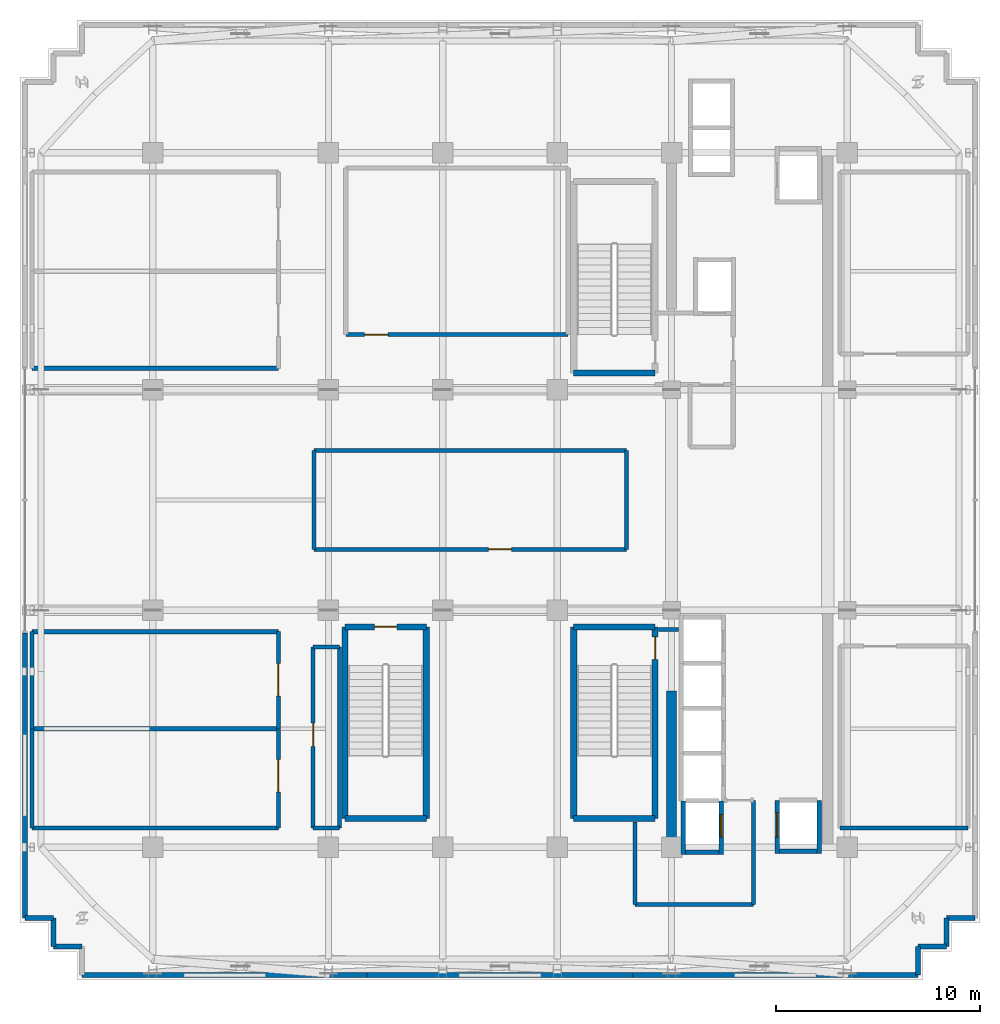
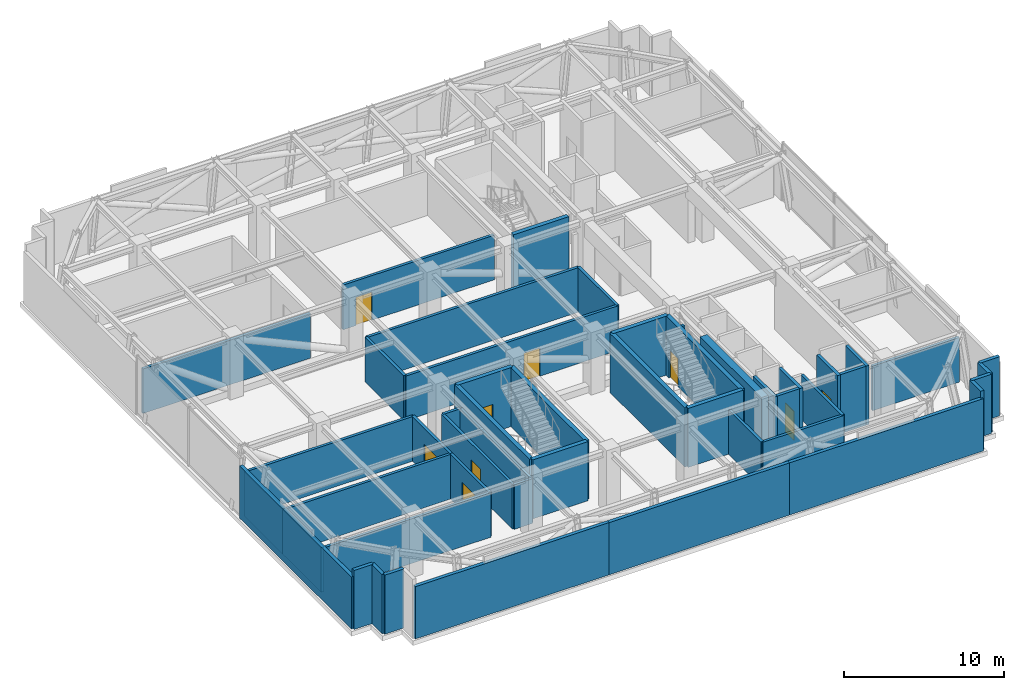
# One storey, part 9 of 15: 49 walls, 9 doors, 9 openings.
"""IFC4 building model written with IfcOpenShell, lengths in metres."""

from ifc_helpers import new_model, si_unit, direction, frame, frame_2d, origin, place, context, subcontext, project, spatial, rectangle, extrude, source, transform, mapped, material, layer, layer_set, type_object, element, fill, save


model = new_model("IFC4")

# Units and contexts
model_context = context("Model", 3, precision=1e-05, world=origin(), true_north=direction((0.0, 1.0)))
body_context = subcontext(model_context, "Body", "Model", "MODEL_VIEW")
ifc_project = project(units=[si_unit("LENGTHUNIT", "METRE"), si_unit("AREAUNIT", "SQUARE_METRE"), si_unit("VOLUMEUNIT", "CUBIC_METRE"), si_unit("PLANEANGLEUNIT", "RADIAN"), si_unit("MASSUNIT", "GRAM", prefix="KILO")], contexts=[model_context])

# Site, building, storey
site_placement = place(None, origin())
site = spatial("IfcSite", under=ifc_project, at=site_placement, CompositionType="ELEMENT")
building_placement = place(site_placement, origin())
building = spatial("IfcBuilding", under=site, at=building_placement, Name="Nahalor Promenade Grand Hotel", CompositionType="ELEMENT")
storey_placement = place(building_placement, frame((0.0, 0.0, 261.5)))
storey = spatial("IfcBuildingStorey", under=building, at=storey_placement, Name="L67", CompositionType="ELEMENT", Elevation=261.5)

# Walls
ifc_material_1 = material(Name="Concrete B-60 (C50/60)", Category="concrete")
ifc_layer_1 = layer(ifc_material_1, 0.5)
ifc_layer_set_1 = layer_set([ifc_layer_1], Name="Concrete B-60 (C50/60)")
wall_type_1 = type_object("IfcWallType", Name="Wall-CoreShear-500", PredefinedType="SHEAR", material=ifc_layer_set_1)
shared_shape_1 = source(origin(), body_context, "Body", "SweptSolid", [
    extrude(rectangle(XDim=7.64990234375, YDim=0.5, at=frame_2d((3.824951171875, 0.0))), origin(), (0.0, 0.0, 1.0), 4.5),
])
wall_1_placement = place(storey_placement, frame((8.39990234375, -17.0, 0.0), z_axis=(0.0, 0.0, 1.0), x_axis=(0.0, 1.0, 0.0)))
element("IfcWall", 1, at=wall_1_placement, inside=storey, type_object=wall_type_1, Name="CWALL-L67-SW", PredefinedType="SHEAR", context=body_context, shape_type="MappedRepresentation", body=[
    mapped(shared_shape_1, transform((0.0, 0.0, 0.0), scale=1.0)),
])
ifc_material_2 = material(Name="Concrete B-50 (C40/50)", Category="concrete")
ifc_layer_2 = layer(ifc_material_2, 0.300048828125)
ifc_layer_set_2 = layer_set([ifc_layer_2], Name="Concrete B-50 (C40/50)")
wall_type_2 = type_object("IfcWallType", Name="Wall-ShaftShear-300", PredefinedType="SHEAR", material=ifc_layer_set_2)
shared_shape_2 = source(origin(), body_context, "Body", "SweptSolid", [
    extrude(rectangle(XDim=3.97998046875, YDim=0.300048828125, at=frame_2d((1.989990234375, 0.0))), origin(), (0.0, 0.0, 1.0), 4.5),
])
for number, where, z_axis, x_axis, name in (
    (2, (3.610107421875, 6.2099609375, 0.0), (0.0, 0.0, 1.0), (1.0, 0.0, 0.0), "L67 Exit Stair ST1 Shaft Wall S"),
    (3, (3.610107421875, -15.590087890625, 0.0), (0.0, 0.0, 1.0), (1.0, 0.0, 0.0), "L67 Exit Stair ST2 Shaft Wall S"),
    (4, (3.610107421875, -6.2099609375, 0.0), (0.0, 0.0, 1.0), (1.0, 0.0, 0.0), "L67 Exit Stair ST2 Shaft Wall N"),
    (5, (-7.590087890625, -15.590087890625, 0.0), (0.0, 0.0, 1.0), (1.0, 0.0, 0.0), "L67 Exit Stair ST3 Shaft Wall S"),
):
    element("IfcWall", number, at=place(storey_placement, frame(where, z_axis=z_axis, x_axis=x_axis)), inside=storey, type_object=wall_type_2, Name=name, PredefinedType="SHEAR", context=body_context, shape_type="MappedRepresentation", body=[
        mapped(shared_shape_2, transform((0.0, 0.0, 0.0), scale=1.0)),
    ])

# Wall, opening, door
wall_2_placement = place(storey_placement, frame((-7.590087890625, -6.2099609375, 0.0), z_axis=(0.0, 0.0, 1.0), x_axis=(1.0, 0.0, 0.0)))
wall_2 = element("IfcWall", 6, at=wall_2_placement, inside=storey, type_object=wall_type_2, Name="L67 Exit Stair ST3 Shaft Wall N", PredefinedType="SHEAR", context=body_context, shape_type="MappedRepresentation", body=[
    mapped(shared_shape_2, transform((0.0, 0.0, 0.0), scale=1.0)),
])
opening_1_placement = place(wall_2_placement, frame((1.43994140625, 0.0, 0.0)))
opening_1 = element("IfcOpeningElement", 7, at=opening_1_placement, cuts=wall_2, Name="Opening D-ST1", PredefinedType="OPENING", context=body_context, shape_type="SweptSolid", body=[
    extrude(rectangle(XDim=1.10009765625, YDim=2.14990234375, at=frame_2d((0.550048828125, 1.074951171875))), frame((0.0, 0.159912109375, 0.0), z_axis=(0.0, -1.0, 0.0), x_axis=(1.0, 0.0, 0.0)), (0.0, 0.0, 1.0), 0.320068359375),
])
ifc_material_3 = material(Name="Steel S355JR", Category="steel")
door_type_1 = type_object("IfcDoorType", Name="Door-StairFire-1100", OperationType="NOTDEFINED", PredefinedType="DOOR", material=ifc_material_3)
shared_shape_3 = source(origin(), body_context, "Body", "SweptSolid", [
    extrude(rectangle(XDim=1.10009765625, YDim=2.14990234375, at=frame_2d((0.550048828125, 1.074951171875))), frame((0.0, 0.02490234375, 0.0), z_axis=(0.0, -1.0, 0.0), x_axis=(1.0, 0.0, 0.0)), (0.0, 0.0, 1.0), 0.050048828125),
])
door_1_placement = place(opening_1_placement, frame((1.10009765625, 0.0, 0.0), z_axis=(0.0, 0.0, 1.0), x_axis=(-1.0, 0.0, 0.0)))
door_1 = element("IfcDoor", 8, at=door_1_placement, inside=storey, type_object=door_type_1, Name="DR-STAIR-ST3-L67", OperationType="SINGLE_SWING_RIGHT", OverallHeight=2.14990234375, OverallWidth=1.10009765625, PredefinedType="DOOR", context=body_context, shape_type="MappedRepresentation", body=[
    mapped(shared_shape_3, transform((0.0, 0.0, 0.0), scale=1.0)),
])
fill(opening_1, door_1)

# Wall
shared_shape_4 = source(origin(), body_context, "Body", "SweptSolid", [
    extrude(rectangle(XDim=9.380126953125, YDim=0.300048828125, at=frame_2d((4.68994140625, 0.0))), origin(), (0.0, 0.0, 1.0), 4.5),
])
wall_3_placement = place(storey_placement, frame((3.610107421875, -15.590087890625, 0.0), z_axis=(0.0, 0.0, 1.0), x_axis=(0.0, 1.0, 0.0)))
element("IfcWall", 9, at=wall_3_placement, inside=storey, type_object=wall_type_2, Name="L67 Exit Stair ST2 Shaft Wall W", PredefinedType="SHEAR", context=body_context, shape_type="MappedRepresentation", body=[
    mapped(shared_shape_4, transform((0.0, 0.0, 0.0), scale=1.0)),
])

# Wall, opening, door
wall_4_placement = place(storey_placement, frame((7.590087890625, -15.590087890625, 0.0), z_axis=(0.0, 0.0, 1.0), x_axis=(0.0, 1.0, 0.0)))
wall_4 = element("IfcWall", 10, at=wall_4_placement, inside=storey, type_object=wall_type_2, Name="L67 Exit Stair ST2 Shaft Wall E", PredefinedType="SHEAR", context=body_context, shape_type="MappedRepresentation", body=[
    mapped(shared_shape_4, transform((0.0, 0.0, 0.0), scale=1.0)),
])
opening_2_placement = place(wall_4_placement, frame((7.7900390625, 0.0, 0.0)))
opening_2 = element("IfcOpeningElement", 11, at=opening_2_placement, cuts=wall_4, Name="Opening D-ST1", PredefinedType="OPENING", context=body_context, shape_type="SweptSolid", body=[
    extrude(rectangle(XDim=1.10009765625, YDim=2.14990234375, at=frame_2d((0.550048828125, 1.074951171875))), frame((0.0, 0.159912109375, 0.0), z_axis=(0.0, -1.0, 0.0), x_axis=(1.0, 0.0, 0.0)), (0.0, 0.0, 1.0), 0.320068359375),
])
door_2_placement = place(opening_2_placement, origin())
door_2 = element("IfcDoor", 12, at=door_2_placement, inside=storey, type_object=door_type_1, Name="DR-STAIR-ST2-L67", OperationType="SINGLE_SWING_RIGHT", OverallHeight=2.14990234375, OverallWidth=1.10009765625, PredefinedType="DOOR", context=body_context, shape_type="MappedRepresentation", body=[
    mapped(shared_shape_3, transform((0.0, 0.0, 0.0), scale=1.0)),
])
fill(opening_2, door_2)

# Walls
for number, where, z_axis, x_axis, name in (
    (13, (-7.590087890625, -15.590087890625, 0.0), (0.0, 0.0, 1.0), (0.0, 1.0, 0.0), "L67 Exit Stair ST3 Shaft Wall W"),
    (14, (-3.610107421875, -15.590087890625, 0.0), (0.0, 0.0, 1.0), (0.0, 1.0, 0.0), "L67 Exit Stair ST3 Shaft Wall E"),
):
    element("IfcWall", number, at=place(storey_placement, frame(where, z_axis=z_axis, x_axis=x_axis)), inside=storey, type_object=wall_type_2, Name=name, PredefinedType="SHEAR", context=body_context, shape_type="MappedRepresentation", body=[
        mapped(shared_shape_4, transform((0.0, 0.0, 0.0), scale=1.0)),
    ])
ifc_layer_3 = layer(ifc_material_2, 0.219970703125)
ifc_layer_set_3 = layer_set([ifc_layer_3], Name="Concrete B-50 (C40/50)")
wall_type_3 = type_object("IfcWallType", Name="Wall-LiftShaft-220", PredefinedType="SHEAR", material=ifc_layer_set_3)
shared_shape_5 = source(origin(), body_context, "Body", "SweptSolid", [
    extrude(rectangle(XDim=1.820068359375, YDim=0.219970703125, at=frame_2d((0.91015625, 0.0))), origin(), (0.0, 0.0, 1.0), 4.5),
])
wall_5_placement = place(storey_placement, frame((13.68994140625, -17.199951171875, 0.0), z_axis=(0.0, 0.0, 1.0), x_axis=(1.0, 0.0, 0.0)))
element("IfcWall", 15, at=wall_5_placement, inside=storey, type_object=wall_type_3, Name="L67 Lift SV2 Hoistway Wall S", PredefinedType="SHEAR", context=body_context, shape_type="MappedRepresentation", body=[
    mapped(shared_shape_5, transform((0.0, 0.0, 0.0), scale=1.0)),
])
shared_shape_6 = source(origin(), body_context, "Body", "SweptSolid", [
    extrude(rectangle(XDim=2.635009765625, YDim=0.219970703125, at=frame_2d((1.3173828125, 0.0))), origin(), (0.0, 0.0, 1.0), 4.5),
])
wall_6_placement = place(storey_placement, frame((8.97998046875, -17.360107421875, 0.0), z_axis=(0.0, 0.0, 1.0), x_axis=(0.0, 1.0, 0.0)))
element("IfcWall", 16, at=wall_6_placement, inside=storey, type_object=wall_type_3, Name="L67 Lift FL2 Hoistway Wall W", PredefinedType="SHEAR", context=body_context, shape_type="MappedRepresentation", body=[
    mapped(shared_shape_6, transform((0.0, 0.0, 0.0), scale=1.0)),
])

# Wall, opening, door
wall_7_placement = place(storey_placement, frame((10.820068359375, -17.360107421875, 0.0), z_axis=(0.0, 0.0, 1.0), x_axis=(0.0, 1.0, 0.0)))
wall_7 = element("IfcWall", 17, at=wall_7_placement, inside=storey, type_object=wall_type_3, Name="L67 Lift FL2 Hoistway Wall E", PredefinedType="SHEAR", context=body_context, shape_type="MappedRepresentation", body=[
    mapped(shared_shape_6, transform((0.0, 0.0, 0.0), scale=1.0)),
])
opening_3_placement = place(wall_7_placement, frame((0.860107421875, 0.0, 0.0)))
opening_3 = element("IfcOpeningElement", 18, at=opening_3_placement, cuts=wall_7, Name="Opening LD-02", PredefinedType="OPENING", context=body_context, shape_type="SweptSolid", body=[
    extrude(rectangle(XDim=1.10009765625, YDim=2.199951171875, at=frame_2d((0.550048828125, 1.10009765625))), frame((0.0, 0.119873046875, 0.0), z_axis=(0.0, -1.0, 0.0), x_axis=(1.0, 0.0, 0.0)), (0.0, 0.0, 1.0), 0.239990234375),
])
door_type_2 = type_object("IfcDoorType", Name="Door-LiftFF-1100", OperationType="DOUBLE_DOOR_SLIDING", PredefinedType="DOOR", material=ifc_material_3)
shared_shape_7 = source(origin(), body_context, "Body", "SweptSolid", [
    extrude(rectangle(XDim=1.10009765625, YDim=2.199951171875, at=frame_2d((0.550048828125, 1.10009765625))), frame((0.0, 0.02490234375, 0.0), z_axis=(0.0, -1.0, 0.0), x_axis=(1.0, 0.0, 0.0)), (0.0, 0.0, 1.0), 0.050048828125),
])
door_3_placement = place(opening_3_placement, frame((1.10009765625, 0.0, 0.0), z_axis=(0.0, 0.0, 1.0), x_axis=(-1.0, 0.0, 0.0)))
door_3 = element("IfcDoor", 19, at=door_3_placement, inside=storey, type_object=door_type_2, Name="DR-LIFT-FL2-L67", OperationType="DOUBLE_DOOR_SLIDING", OverallHeight=2.199951171875, OverallWidth=1.10009765625, PredefinedType="DOOR", context=body_context, shape_type="MappedRepresentation", body=[
    mapped(shared_shape_7, transform((0.0, 0.0, 0.0), scale=1.0)),
])
fill(opening_3, door_3)

# Wall
shared_shape_8 = source(origin(), body_context, "Body", "SweptSolid", [
    extrude(rectangle(XDim=1.619873046875, YDim=0.219970703125, at=frame_2d((0.81005859375, 0.0))), origin(), (0.0, 0.0, 1.0), 4.5),
])
wall_8_placement = place(storey_placement, frame((9.090087890625, -17.25, 0.0), z_axis=(0.0, 0.0, 1.0), x_axis=(1.0, 0.0, 0.0)))
element("IfcWall", 20, at=wall_8_placement, inside=storey, type_object=wall_type_3, Name="L67 Lift FL2 Hoistway Wall S", PredefinedType="SHEAR", context=body_context, shape_type="MappedRepresentation", body=[
    mapped(shared_shape_8, transform((0.0, 0.0, 0.0), scale=1.0)),
])

# Wall, opening, door
shared_shape_9 = source(origin(), body_context, "Body", "SweptSolid", [
    extrude(rectangle(XDim=2.610107421875, YDim=0.219970703125, at=frame_2d((1.30517578125, 0.0))), origin(), (0.0, 0.0, 1.0), 4.5),
])
wall_9_placement = place(storey_placement, frame((13.580078125, -17.31005859375, 0.0), z_axis=(0.0, 0.0, 1.0), x_axis=(0.0, 1.0, 0.0)))
wall_9 = element("IfcWall", 21, at=wall_9_placement, inside=storey, type_object=wall_type_3, Name="L67 Lift SV2 Hoistway Wall W", PredefinedType="SHEAR", context=body_context, shape_type="MappedRepresentation", body=[
    mapped(shared_shape_9, transform((0.0, 0.0, 0.0), scale=1.0)),
])
opening_4_placement = place(wall_9_placement, frame((0.81005859375, 0.0, 0.0)))
opening_4 = element("IfcOpeningElement", 22, at=opening_4_placement, cuts=wall_9, Name="Opening LD-03", PredefinedType="OPENING", context=body_context, shape_type="SweptSolid", body=[
    extrude(rectangle(XDim=1.199951171875, YDim=2.199951171875, at=frame_2d((0.60009765625, 1.10009765625))), frame((0.0, 0.119873046875, 0.0), z_axis=(0.0, -1.0, 0.0), x_axis=(1.0, 0.0, 0.0)), (0.0, 0.0, 1.0), 0.239990234375),
])
door_type_3 = type_object("IfcDoorType", Name="Door-LiftService-1200", OperationType="DOUBLE_DOOR_SLIDING", PredefinedType="DOOR", material=ifc_material_3)
shared_shape_10 = source(origin(), body_context, "Body", "SweptSolid", [
    extrude(rectangle(XDim=1.199951171875, YDim=2.199951171875, at=frame_2d((0.60009765625, 1.10009765625))), frame((0.0, 0.02490234375, 0.0), z_axis=(0.0, -1.0, 0.0), x_axis=(1.0, 0.0, 0.0)), (0.0, 0.0, 1.0), 0.050048828125),
])
door_4_placement = place(opening_4_placement, origin())
door_4 = element("IfcDoor", 23, at=door_4_placement, inside=storey, type_object=door_type_3, Name="DR-LIFT-SV2-L67", OperationType="DOUBLE_DOOR_SLIDING", OverallHeight=2.199951171875, OverallWidth=1.199951171875, PredefinedType="DOOR", context=body_context, shape_type="MappedRepresentation", body=[
    mapped(shared_shape_10, transform((0.0, 0.0, 0.0), scale=1.0)),
])
fill(opening_4, door_4)

# Walls
wall_10_placement = place(storey_placement, frame((15.6201171875, -17.31005859375, 0.0), z_axis=(0.0, 0.0, 1.0), x_axis=(0.0, 1.0, 0.0)))
element("IfcWall", 24, at=wall_10_placement, inside=storey, type_object=wall_type_3, Name="L67 Lift SV2 Hoistway Wall E", PredefinedType="SHEAR", context=body_context, shape_type="MappedRepresentation", body=[
    mapped(shared_shape_9, transform((0.0, 0.0, 0.0), scale=1.0)),
])
ifc_material_4 = material(Name="Concrete B-40 (C32/40)", Category="concrete")
ifc_layer_4 = layer(ifc_material_4, 0.25)
ifc_layer_set_4 = layer_set([ifc_layer_4], Name="Concrete B-40 (C32/40)")
wall_type_4 = type_object("IfcWallType", Name="Wall-BronzePier-250", PredefinedType="STANDARD", material=ifc_layer_set_4)
shared_shape_11 = source(origin(), body_context, "Body", "SweptSolid", [
    extrude(rectangle(XDim=1.39990234375, YDim=0.25, at=frame_2d((0.699951171875, 0.0))), origin(), (0.0, 0.0, 1.0), 4.5),
])
for number, where, z_axis, x_axis, name in (
    (25, (20.4599609375, -23.260009765625, 0.0), (0.0, 0.0, 1.0), (0.0, 1.0, 0.0), "W-L67-SR-01"),
    (26, (21.860107421875, -20.4599609375, 0.0), (0.0, 0.0, 1.0), (1.0, 0.0, 0.0), "W-L67-SR-04"),
    (27, (-23.260009765625, -20.4599609375, 0.0), (0.0, 0.0, 1.0), (1.0, 0.0, 0.0), "W-L67-SR-13"),
):
    element("IfcWall", number, at=place(storey_placement, frame(where, z_axis=z_axis, x_axis=x_axis)), inside=storey, type_object=wall_type_4, Name=name, PredefinedType="STANDARD", context=body_context, shape_type="MappedRepresentation", body=[
        mapped(shared_shape_11, transform((0.0, 0.0, 0.0), scale=1.0)),
    ])
shared_shape_12 = source(origin(), body_context, "Body", "SweptSolid", [
    extrude(rectangle(XDim=1.400146484375, YDim=0.25, at=frame_2d((0.7001953125, 0.0))), origin(), (0.0, 0.0, 1.0), 4.5),
])
for number, where, z_axis, x_axis, name in (
    (28, (20.4599609375, -21.860107421875, 0.0), (0.0, 0.0, 1.0), (1.0, 0.0, 0.0), "W-L67-SR-02"),
    (29, (21.860107421875, -21.860107421875, 0.0), (0.0, 0.0, 1.0), (0.0, 1.0, 0.0), "W-L67-SR-03"),
    (30, (-21.860107421875, -21.860107421875, 0.0), (0.0, 0.0, 1.0), (0.0, 1.0, 0.0), "W-L67-SR-14"),
    (31, (-21.860107421875, -21.860107421875, 0.0), (0.0, 0.0, 1.0), (1.0, 0.0, 0.0), "W-L67-SR-15"),
):
    element("IfcWall", number, at=place(storey_placement, frame(where, z_axis=z_axis, x_axis=x_axis)), inside=storey, type_object=wall_type_4, Name=name, PredefinedType="STANDARD", context=body_context, shape_type="MappedRepresentation", body=[
        mapped(shared_shape_12, transform((0.0, 0.0, 0.0), scale=1.0)),
    ])
shared_shape_13 = source(origin(), body_context, "Body", "SweptSolid", [
    extrude(rectangle(XDim=13.9599609375, YDim=0.25, at=frame_2d((6.97998046875, 0.0))), origin(), (0.0, 0.0, 1.0), 3.97998046875),
])
for number, where, z_axis, x_axis, name in (
    (32, (-20.4599609375, -23.260009765625, 0.0), (0.0, 0.0, 1.0), (1.0, 0.0, 0.0), "W-L67-PL-SL"),
    (33, (6.5, -23.260009765625, 0.0), (0.0, 0.0, 1.0), (1.0, 0.0, 0.0), "W-L67-PL-SR"),
    (34, (-23.260009765625, -20.4599609375, 0.0), (0.0, 0.0, 1.0), (0.0, 1.0, 0.0), "W-L67-PL-WL"),
):
    element("IfcWall", number, at=place(storey_placement, frame(where, z_axis=z_axis, x_axis=x_axis)), inside=storey, type_object=wall_type_4, Name=name, PredefinedType="STANDARD", context=body_context, shape_type="MappedRepresentation", body=[
        mapped(shared_shape_13, transform((0.0, 0.0, 0.0), scale=1.0)),
    ])
shared_shape_14 = source(origin(), body_context, "Body", "SweptSolid", [
    extrude(rectangle(XDim=13.0, YDim=0.25, at=frame_2d((6.5, 0.0))), origin(), (0.0, 0.0, 1.0), 3.97998046875),
])
wall_11_placement = place(storey_placement, frame((-6.5, -23.260009765625, 0.0), z_axis=(0.0, 0.0, 1.0), x_axis=(1.0, 0.0, 0.0)))
element("IfcWall", 35, at=wall_11_placement, inside=storey, type_object=wall_type_4, Name="W-L67-PL-SM", PredefinedType="STANDARD", context=body_context, shape_type="MappedRepresentation", body=[
    mapped(shared_shape_14, transform((0.0, 0.0, 0.0), scale=1.0)),
])
ifc_layer_5 = layer(ifc_material_4, 0.199951171875)
ifc_layer_set_5 = layer_set([ifc_layer_5], Name="Concrete B-40 (C32/40)")
wall_type_5 = type_object("IfcWallType", Name="Wall-PartFire-200", PredefinedType="PARTITIONING", material=ifc_layer_set_5)
shared_shape_15 = source(origin(), body_context, "Body", "SweptSolid", [
    extrude(rectangle(XDim=5.81982421875, YDim=0.199951171875, at=frame_2d((2.909912109375, 0.0))), origin(), (0.0, 0.0, 1.0), 3.39990234375),
])
wall_12_placement = place(storey_placement, frame((6.60009765625, -19.800048828125, 0.0), z_axis=(0.0, 0.0, 1.0), x_axis=(1.0, 0.0, 0.0)))
element("IfcWall", 36, at=wall_12_placement, inside=storey, type_object=wall_type_5, Name="W-L67-FF2-S1", PredefinedType="PARTITIONING", context=body_context, shape_type="MappedRepresentation", body=[
    mapped(shared_shape_15, transform((0.0, 0.0, 0.0), scale=1.0)),
])
shared_shape_16 = source(origin(), body_context, "Body", "SweptSolid", [
    extrude(rectangle(XDim=4.030029296875, YDim=0.199951171875, at=frame_2d((2.01513671875, 0.0))), origin(), (0.0, 0.0, 1.0), 3.39990234375),
])
wall_13_placement = place(storey_placement, frame((6.60009765625, -19.800048828125, 0.0), z_axis=(0.0, 0.0, 1.0), x_axis=(0.0, 1.0, 0.0)))
element("IfcWall", 37, at=wall_13_placement, inside=storey, type_object=wall_type_5, Name="W-L67-FF2-W1", PredefinedType="PARTITIONING", context=body_context, shape_type="MappedRepresentation", body=[
    mapped(shared_shape_16, transform((0.0, 0.0, 0.0), scale=1.0)),
])
shared_shape_17 = source(origin(), body_context, "Body", "SweptSolid", [
    extrude(rectangle(XDim=5.10009765625, YDim=0.199951171875, at=frame_2d((2.550048828125, 0.0))), origin(), (0.0, 0.0, 1.0), 3.39990234375),
])
wall_14_placement = place(storey_placement, frame((12.419921875, -19.800048828125, 0.0), z_axis=(0.0, 0.0, 1.0), x_axis=(0.0, 1.0, 0.0)))
element("IfcWall", 38, at=wall_14_placement, inside=storey, type_object=wall_type_5, Name="W-L67-FF2-E", PredefinedType="PARTITIONING", context=body_context, shape_type="MappedRepresentation", body=[
    mapped(shared_shape_17, transform((0.0, 0.0, 0.0), scale=1.0)),
])
shared_shape_18 = source(origin(), body_context, "Body", "SweptSolid", [
    extrude(rectangle(XDim=0.969970703125, YDim=0.199951171875, at=frame_2d((0.48486328125, 0.0))), origin(), (0.0, 0.0, 1.0), 3.39990234375),
])
wall_15_placement = place(storey_placement, frame((7.77001953125, -6.35009765625, 0.0), z_axis=(0.0, 0.0, 1.0), x_axis=(1.0, 0.0, 0.0)))
element("IfcWall", 39, at=wall_15_placement, inside=storey, type_object=wall_type_5, Name="W-L67-FF2-N2", PredefinedType="PARTITIONING", context=body_context, shape_type="MappedRepresentation", body=[
    mapped(shared_shape_18, transform((0.0, 0.0, 0.0), scale=1.0)),
])

# Wall, opening, door
shared_shape_19 = source(origin(), body_context, "Body", "SweptSolid", [
    extrude(rectangle(XDim=10.89013671875, YDim=0.199951171875, at=frame_2d((5.445068359375, 0.0))), origin(), (0.0, 0.0, 1.0), 3.39990234375),
])
wall_16_placement = place(storey_placement, frame((-7.550048828125, 8.10009765625, 0.0), z_axis=(0.0, 0.0, 1.0), x_axis=(1.0, 0.0, 0.0)))
wall_16 = element("IfcWall", 40, at=wall_16_placement, inside=storey, type_object=wall_type_5, Name="W-L67-REF2-S", PredefinedType="PARTITIONING", context=body_context, shape_type="MappedRepresentation", body=[
    mapped(shared_shape_19, transform((0.0, 0.0, 0.0), scale=1.0)),
])
opening_5_placement = place(wall_16_placement, frame((0.925048828125, 0.0, 0.0)))
opening_5 = element("IfcOpeningElement", 41, at=opening_5_placement, cuts=wall_16, Name="Opening D-FF1", PredefinedType="OPENING", context=body_context, shape_type="SweptSolid", body=[
    extrude(rectangle(XDim=1.14990234375, YDim=2.14990234375, at=frame_2d((0.574951171875, 1.074951171875))), frame((0.0, 0.10986328125, 0.0), z_axis=(0.0, -1.0, 0.0), x_axis=(1.0, 0.0, 0.0)), (0.0, 0.0, 1.0), 0.219970703125),
])
door_type_4 = type_object("IfcDoorType", Name="Door-FFLobby-1150", OperationType="NOTDEFINED", PredefinedType="DOOR", material=ifc_material_3)
shared_shape_20 = source(origin(), body_context, "Body", "SweptSolid", [
    extrude(rectangle(XDim=1.14990234375, YDim=2.14990234375, at=frame_2d((0.574951171875, 1.074951171875))), frame((0.0, 0.02490234375, 0.0), z_axis=(0.0, -1.0, 0.0), x_axis=(1.0, 0.0, 0.0)), (0.0, 0.0, 1.0), 0.050048828125),
])
door_5_placement = place(opening_5_placement, origin())
door_5 = element("IfcDoor", 42, at=door_5_placement, inside=storey, type_object=door_type_4, Name="DR-L67-REF2", OperationType="SINGLE_SWING_LEFT", OverallHeight=2.14990234375, OverallWidth=1.14990234375, PredefinedType="DOOR", context=body_context, shape_type="MappedRepresentation", body=[
    mapped(shared_shape_20, transform((0.0, 0.0, 0.0), scale=1.0)),
])
fill(opening_5, door_5)

shared_shape_21 = source(origin(), body_context, "Body", "SweptSolid", [
    extrude(rectangle(XDim=15.300048828125, YDim=0.199951171875, at=frame_2d((7.64990234375, 0.0))), origin(), (0.0, 0.0, 1.0), 3.39990234375),
])
wall_17_placement = place(storey_placement, frame((-9.10009765625, -2.419921875, 0.0), z_axis=(0.0, 0.0, 1.0), x_axis=(1.0, 0.0, 0.0)))
wall_17 = element("IfcWall", 43, at=wall_17_placement, inside=storey, type_object=wall_type_5, Name="W-L67-REF3-S", PredefinedType="PARTITIONING", context=body_context, shape_type="MappedRepresentation", body=[
    mapped(shared_shape_21, transform((0.0, 0.0, 0.0), scale=1.0)),
])
opening_6_placement = place(wall_17_placement, frame((8.52490234375, 0.0, 0.0)))
opening_6 = element("IfcOpeningElement", 44, at=opening_6_placement, cuts=wall_17, Name="Opening D-FF1", PredefinedType="OPENING", context=body_context, shape_type="SweptSolid", body=[
    extrude(rectangle(XDim=1.14990234375, YDim=2.14990234375, at=frame_2d((0.574951171875, 1.074951171875))), frame((0.0, 0.10986328125, 0.0), z_axis=(0.0, -1.0, 0.0), x_axis=(1.0, 0.0, 0.0)), (0.0, 0.0, 1.0), 0.219970703125),
])
door_6_placement = place(opening_6_placement, origin())
door_6 = element("IfcDoor", 45, at=door_6_placement, inside=storey, type_object=door_type_4, Name="DR-L67-REF3", OperationType="SINGLE_SWING_RIGHT", OverallHeight=2.14990234375, OverallWidth=1.14990234375, PredefinedType="DOOR", context=body_context, shape_type="MappedRepresentation", body=[
    mapped(shared_shape_20, transform((0.0, 0.0, 0.0), scale=1.0)),
])
fill(opening_6, door_6)

# Walls
wall_18_placement = place(storey_placement, frame((-9.10009765625, 2.419921875, 0.0), z_axis=(0.0, 0.0, 1.0), x_axis=(1.0, 0.0, 0.0)))
element("IfcWall", 46, at=wall_18_placement, inside=storey, type_object=wall_type_5, Name="W-L67-REF3-N", PredefinedType="PARTITIONING", context=body_context, shape_type="MappedRepresentation", body=[
    mapped(shared_shape_21, transform((0.0, 0.0, 0.0), scale=1.0)),
])
shared_shape_22 = source(origin(), body_context, "Body", "SweptSolid", [
    extrude(rectangle(XDim=4.83984375, YDim=0.199951171875, at=frame_2d((2.419921875, 0.0))), origin(), (0.0, 0.0, 1.0), 3.39990234375),
])
for number, where, z_axis, x_axis, name in (
    (47, (-9.10009765625, -2.419921875, 0.0), (0.0, 0.0, 1.0), (0.0, 1.0, 0.0), "W-L67-REF3-W"),
    (48, (6.199951171875, -2.419921875, 0.0), (0.0, 0.0, 1.0), (0.0, 1.0, 0.0), "W-L67-REF3-E"),
):
    element("IfcWall", number, at=place(storey_placement, frame(where, z_axis=z_axis, x_axis=x_axis)), inside=storey, type_object=wall_type_5, Name=name, PredefinedType="PARTITIONING", context=body_context, shape_type="MappedRepresentation", body=[
        mapped(shared_shape_22, transform((0.0, 0.0, 0.0), scale=1.0)),
    ])
shared_shape_23 = source(origin(), body_context, "Body", "SweptSolid", [
    extrude(rectangle(XDim=1.2998046875, YDim=0.199951171875, at=frame_2d((0.64990234375, 0.0))), origin(), (0.0, 0.0, 1.0), 3.39990234375),
])
for number, where, z_axis, x_axis, name in (
    (49, (-9.14990234375, -16.050048828125, 0.0), (0.0, 0.0, 1.0), (1.0, 0.0, 0.0), "W-L67-REF4-S"),
    (50, (-9.14990234375, -7.199951171875, 0.0), (0.0, 0.0, 1.0), (1.0, 0.0, 0.0), "W-L67-REF4-N"),
):
    element("IfcWall", number, at=place(storey_placement, frame(where, z_axis=z_axis, x_axis=x_axis)), inside=storey, type_object=wall_type_5, Name=name, PredefinedType="PARTITIONING", context=body_context, shape_type="MappedRepresentation", body=[
        mapped(shared_shape_23, transform((0.0, 0.0, 0.0), scale=1.0)),
    ])

# Wall, opening, door
shared_shape_24 = source(origin(), body_context, "Body", "SweptSolid", [
    extrude(rectangle(XDim=8.85009765625, YDim=0.199951171875, at=frame_2d((4.425048828125, 0.0))), origin(), (0.0, 0.0, 1.0), 3.39990234375),
])
wall_19_placement = place(storey_placement, frame((-9.14990234375, -16.050048828125, 0.0), z_axis=(0.0, 0.0, 1.0), x_axis=(0.0, 1.0, 0.0)))
wall_19 = element("IfcWall", 51, at=wall_19_placement, inside=storey, type_object=wall_type_5, Name="W-L67-REF4-W", PredefinedType="PARTITIONING", context=body_context, shape_type="MappedRepresentation", body=[
    mapped(shared_shape_24, transform((0.0, 0.0, 0.0), scale=1.0)),
])
opening_7_placement = place(wall_19_placement, frame((3.97509765625, 0.0, 0.0)))
opening_7 = element("IfcOpeningElement", 52, at=opening_7_placement, cuts=wall_19, Name="Opening D-FF1", PredefinedType="OPENING", context=body_context, shape_type="SweptSolid", body=[
    extrude(rectangle(XDim=1.14990234375, YDim=2.14990234375, at=frame_2d((0.574951171875, 1.074951171875))), frame((0.0, 0.10986328125, 0.0), z_axis=(0.0, -1.0, 0.0), x_axis=(1.0, 0.0, 0.0)), (0.0, 0.0, 1.0), 0.219970703125),
])
door_7_placement = place(opening_7_placement, frame((1.14990234375, 0.0, 0.0), z_axis=(0.0, 0.0, 1.0), x_axis=(-1.0, 0.0, 0.0)))
door_7 = element("IfcDoor", 53, at=door_7_placement, inside=storey, type_object=door_type_4, Name="DR-L67-REF4", OperationType="SINGLE_SWING_LEFT", OverallHeight=2.14990234375, OverallWidth=1.14990234375, PredefinedType="DOOR", context=body_context, shape_type="MappedRepresentation", body=[
    mapped(shared_shape_20, transform((0.0, 0.0, 0.0), scale=1.0)),
])
fill(opening_7, door_7)

# Walls
wall_20_placement = place(storey_placement, frame((-7.85009765625, -16.050048828125, 0.0), z_axis=(0.0, 0.0, 1.0), x_axis=(0.0, 1.0, 0.0)))
element("IfcWall", 54, at=wall_20_placement, inside=storey, type_object=wall_type_5, Name="W-L67-REF4-E", PredefinedType="PARTITIONING", context=body_context, shape_type="MappedRepresentation", body=[
    mapped(shared_shape_24, transform((0.0, 0.0, 0.0), scale=1.0)),
])
shared_shape_25 = source(origin(), body_context, "Body", "SweptSolid", [
    extrude(rectangle(XDim=4.75, YDim=0.199951171875, at=frame_2d((2.375, 0.0))), origin(), (0.0, 0.0, 1.0), 3.39990234375),
])
wall_21_placement = place(storey_placement, frame((-22.919921875, -11.199951171875, 0.0), z_axis=(0.0, 0.0, 1.0), x_axis=(0.0, 1.0, 0.0)))
element("IfcWall", 55, at=wall_21_placement, inside=storey, type_object=wall_type_5, Name="W-L67-MP3-W", PredefinedType="PARTITIONING", context=body_context, shape_type="MappedRepresentation", body=[
    mapped(shared_shape_25, transform((0.0, 0.0, 0.0), scale=1.0)),
])

# Wall, opening, door
wall_22_placement = place(storey_placement, frame((-10.85009765625, -11.199951171875, 0.0), z_axis=(0.0, 0.0, 1.0), x_axis=(0.0, 1.0, 0.0)))
wall_22 = element("IfcWall", 56, at=wall_22_placement, inside=storey, type_object=wall_type_5, Name="W-L67-MP3-E", PredefinedType="PARTITIONING", context=body_context, shape_type="MappedRepresentation", body=[
    mapped(shared_shape_25, transform((0.0, 0.0, 0.0), scale=1.0)),
])
opening_8_placement = place(wall_22_placement, frame((1.60009765625, 0.0, 0.0)))
opening_8 = element("IfcOpeningElement", 57, at=opening_8_placement, cuts=wall_22, Name="Opening D-06", PredefinedType="OPENING", context=body_context, shape_type="SweptSolid", body=[
    extrude(rectangle(XDim=1.60009765625, YDim=2.14990234375, at=frame_2d((0.800048828125, 1.074951171875))), frame((0.0, 0.10986328125, 0.0), z_axis=(0.0, -1.0, 0.0), x_axis=(1.0, 0.0, 0.0)), (0.0, 0.0, 1.0), 0.219970703125),
])
door_type_5 = type_object("IfcDoorType", Name="Door-PlantDouble-1600", OperationType="DOUBLE_DOOR_SINGLE_SWING", PredefinedType="DOOR", material=ifc_material_3)
shared_shape_26 = source(origin(), body_context, "Body", "SweptSolid", [
    extrude(rectangle(XDim=1.60009765625, YDim=2.14990234375, at=frame_2d((0.800048828125, 1.074951171875))), frame((0.0, 0.02490234375, 0.0), z_axis=(0.0, -1.0, 0.0), x_axis=(1.0, 0.0, 0.0)), (0.0, 0.0, 1.0), 0.050048828125),
])
door_8_placement = place(opening_8_placement, origin())
door_8 = element("IfcDoor", 58, at=door_8_placement, inside=storey, type_object=door_type_5, Name="DR-L67-MP3", OperationType="DOUBLE_DOOR_SINGLE_SWING", OverallHeight=2.14990234375, OverallWidth=1.60009765625, PredefinedType="DOOR", context=body_context, shape_type="MappedRepresentation", body=[
    mapped(shared_shape_26, transform((0.0, 0.0, 0.0), scale=1.0)),
])
fill(opening_8, door_8)

# Wall
shared_shape_27 = source(origin(), body_context, "Body", "SweptSolid", [
    extrude(rectangle(XDim=4.85009765625, YDim=0.199951171875, at=frame_2d((2.425048828125, 0.0))), origin(), (0.0, 0.0, 1.0), 3.39990234375),
])
wall_23_placement = place(storey_placement, frame((-22.919921875, -16.050048828125, 0.0), z_axis=(0.0, 0.0, 1.0), x_axis=(0.0, 1.0, 0.0)))
element("IfcWall", 59, at=wall_23_placement, inside=storey, type_object=wall_type_5, Name="W-L67-MP4-W", PredefinedType="PARTITIONING", context=body_context, shape_type="MappedRepresentation", body=[
    mapped(shared_shape_27, transform((0.0, 0.0, 0.0), scale=1.0)),
])

# Wall, opening, door
wall_24_placement = place(storey_placement, frame((-10.85009765625, -16.050048828125, 0.0), z_axis=(0.0, 0.0, 1.0), x_axis=(0.0, 1.0, 0.0)))
wall_24 = element("IfcWall", 60, at=wall_24_placement, inside=storey, type_object=wall_type_5, Name="W-L67-MP4-E", PredefinedType="PARTITIONING", context=body_context, shape_type="MappedRepresentation", body=[
    mapped(shared_shape_27, transform((0.0, 0.0, 0.0), scale=1.0)),
])
opening_9_placement = place(wall_24_placement, frame((1.75, 0.0, 0.0)))
opening_9 = element("IfcOpeningElement", 61, at=opening_9_placement, cuts=wall_24, Name="Opening D-06", PredefinedType="OPENING", context=body_context, shape_type="SweptSolid", body=[
    extrude(rectangle(XDim=1.60009765625, YDim=2.14990234375, at=frame_2d((0.800048828125, 1.074951171875))), frame((0.0, 0.10986328125, 0.0), z_axis=(0.0, -1.0, 0.0), x_axis=(1.0, 0.0, 0.0)), (0.0, 0.0, 1.0), 0.219970703125),
])
door_9_placement = place(opening_9_placement, origin())
door_9 = element("IfcDoor", 62, at=door_9_placement, inside=storey, type_object=door_type_5, Name="DR-L67-MP4", OperationType="DOUBLE_DOOR_SINGLE_SWING", OverallHeight=2.14990234375, OverallWidth=1.60009765625, PredefinedType="DOOR", context=body_context, shape_type="MappedRepresentation", body=[
    mapped(shared_shape_26, transform((0.0, 0.0, 0.0), scale=1.0)),
])
fill(opening_9, door_9)

# Walls
shared_shape_28 = source(origin(), body_context, "Body", "SweptSolid", [
    extrude(rectangle(XDim=12.06982421875, YDim=0.199951171875, at=frame_2d((6.034912109375, 0.0))), origin(), (0.0, 0.0, 1.0), 3.39990234375),
])
for number, where, z_axis, x_axis, name in (
    (63, (-22.919921875, 6.449951171875, 0.0), (0.0, 0.0, 1.0), (1.0, 0.0, 0.0), "W-L67-MP1-S"),
    (64, (-22.919921875, -11.199951171875, 0.0), (0.0, 0.0, 1.0), (1.0, 0.0, 0.0), "W-L67-MP3-S"),
    (65, (-22.919921875, -6.449951171875, 0.0), (0.0, 0.0, 1.0), (1.0, 0.0, 0.0), "W-L67-MP3-N"),
    (66, (-22.919921875, -16.050048828125, 0.0), (0.0, 0.0, 1.0), (1.0, 0.0, 0.0), "W-L67-MP4-S"),
):
    element("IfcWall", number, at=place(storey_placement, frame(where, z_axis=z_axis, x_axis=x_axis)), inside=storey, type_object=wall_type_5, Name=name, PredefinedType="PARTITIONING", context=body_context, shape_type="MappedRepresentation", body=[
        mapped(shared_shape_28, transform((0.0, 0.0, 0.0), scale=1.0)),
    ])
shared_shape_29 = source(origin(), body_context, "Body", "SweptSolid", [
    extrude(rectangle(XDim=6.27001953125, YDim=0.199951171875, at=frame_2d((3.135009765625, 0.0))), origin(), (0.0, 0.0, 1.0), 3.39990234375),
])
wall_25_placement = place(storey_placement, frame((16.64990234375, -16.050048828125, 0.0), z_axis=(0.0, 0.0, 1.0), x_axis=(1.0, 0.0, 0.0)))
element("IfcWall", 67, at=wall_25_placement, inside=storey, type_object=wall_type_5, Name="W-L67-MP6-S", PredefinedType="PARTITIONING", context=body_context, shape_type="MappedRepresentation", body=[
    mapped(shared_shape_29, transform((0.0, 0.0, 0.0), scale=1.0)),
])

save(model, "model.ifc")
